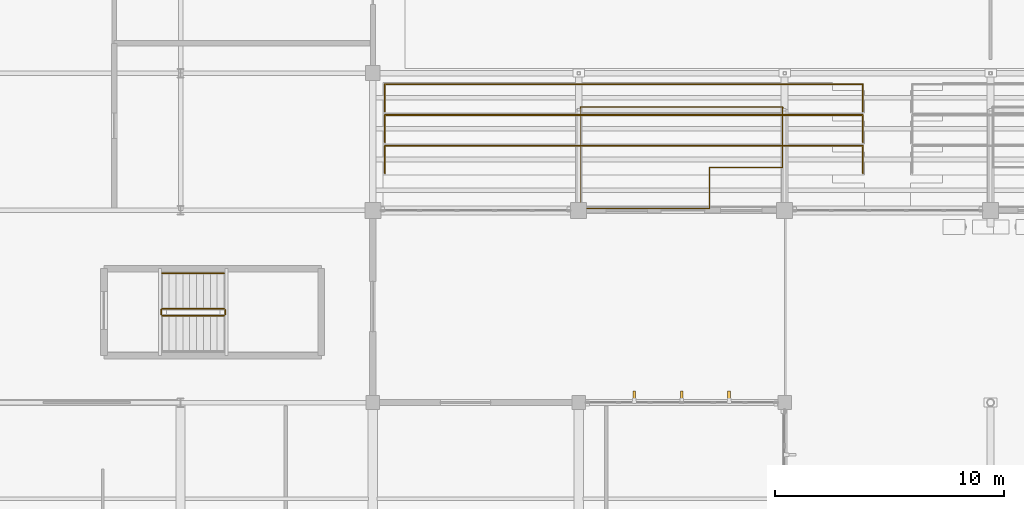
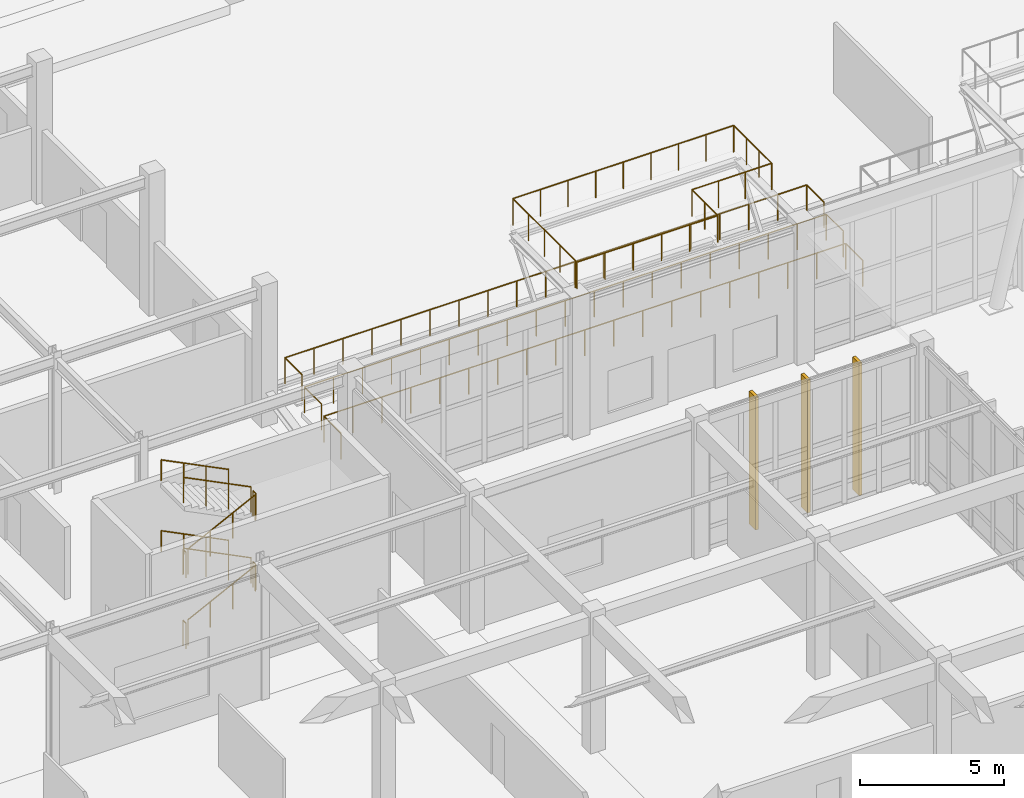
# One storey, part 99 of 110: 14 railings, 3 coverings.
"""IFC4 building model written with IfcOpenShell, lengths in metres."""

from ifc_helpers import new_model, si_unit, direction, frame, origin, origin_2d, place, context, subcontext, project, spatial, rectangle, circle, extrude, material, layer, layer_set, type_object, element, save


model = new_model("IFC4")

# Units and contexts
model_context = context("Model", 3, precision=1e-05, world=origin(), true_north=direction((0.0, 1.0)))
body_context = subcontext(model_context, "Body", "Model", "MODEL_VIEW")
ifc_project = project(units=[si_unit("LENGTHUNIT", "METRE"), si_unit("AREAUNIT", "SQUARE_METRE"), si_unit("VOLUMEUNIT", "CUBIC_METRE"), si_unit("PLANEANGLEUNIT", "RADIAN"), si_unit("MASSUNIT", "GRAM", prefix="KILO")], contexts=[model_context])

# Site, building, storey
site_placement = place(None, origin())
site = spatial("IfcSite", under=ifc_project, at=site_placement, CompositionType="ELEMENT")
building_placement = place(site_placement, origin())
building = spatial("IfcBuilding", under=site, at=building_placement, Name="Tizgana Railside Sports Hall", CompositionType="ELEMENT")
storey_placement = place(building_placement, origin())
storey = spatial("IfcBuildingStorey", under=building, at=storey_placement, Name="L00", CompositionType="ELEMENT", Elevation=0.0)

# Coverings
ifc_material_1 = material(Name="Glulam GL28h", Category="wood")
ifc_layer = layer(ifc_material_1, 0.139892578125, Name="Glulam GL28h")
ifc_layer_set = layer_set([ifc_layer], Name="Glulam GL28h")
covering_type = type_object("IfcCoveringType", Name="Mass-Timber Brise-Soleil & Pergola Fin", PredefinedType="CLADDING", material=ifc_layer_set)
for number, where, z_axis, x_axis, name in (
    (1, (91.2275390625, 32.679931640625, 0.0849609375), (0.0, 0.0, 1.0), (1.0, 0.0, 0.0), "L00 Timber Brise-Soleil Fin"),
    (2, (93.300048828125, 32.679931640625, 0.0849609375), (0.0, 0.0, 1.0), (1.0, 0.0, 0.0), "L00 Timber Brise-Soleil Fin"),
    (3, (95.37255859375, 32.679931640625, 0.0849609375), (0.0, 0.0, 1.0), (1.0, 0.0, 0.0), "L00 Timber Brise-Soleil Fin"),
):
    element("IfcCovering", number, at=place(storey_placement, frame(where, z_axis=z_axis, x_axis=x_axis)), inside=storey, type_object=covering_type, Name=name, PredefinedType="CLADDING", context=body_context, shape_type="SweptSolid", body=[
        extrude(rectangle(XDim=0.1201171875, YDim=0.43994140625, at=origin_2d()), origin(), (0.0, 0.0, 1.0), 5.625),
    ])

# Railings
ifc_material_2 = material(Name="Galvanised steel sheet", Category="steel")
railing_type_1 = type_object("IfcRailingType", Name="Safety Balustrade Guard 1100", PredefinedType="BALUSTRADE", material=ifc_material_2)
railing_1_placement = place(storey_placement, frame((70.60009765625, 36.199951171875, 0.14990234375)))
element("IfcRailing", 4, at=railing_1_placement, inside=storey, type_object=railing_type_1, Name="L00 ST-10 stair guard 1", PredefinedType="BALUSTRADE", context=body_context, shape_type="SweptSolid", body=[
    extrude(circle(Radius=0.02392578125, at=origin_2d()), frame((0.0, 0.0, 1.076171875), z_axis=(0.894411015155, 0.0, 0.447245945728), x_axis=(0.0, 1.0, 0.0)), (0.0, 0.0, 1.0), 3.018798828125),
    extrude(circle(Radius=0.02099609375, at=origin_2d()), origin(), (0.0, 0.0, 1.0), 1.052001953125),
    extrude(circle(Radius=0.02099609375, at=origin_2d()), frame((0.89990234375, 0.0, 0.449951171875)), (0.0, 0.0, 1.0), 1.052001953125),
    extrude(circle(Radius=0.02099609375, at=origin_2d()), frame((1.800048828125, 0.0, 0.900146484375)), (0.0, 0.0, 1.0), 1.052001953125),
    extrude(circle(Radius=0.02099609375, at=origin_2d()), frame((2.699951171875, 0.0, 1.35009765625)), (0.0, 0.0, 1.0), 1.052001953125),
])
railing_2_placement = place(storey_placement, frame((73.35009765625, 36.25, 1.5)))
element("IfcRailing", 5, at=railing_2_placement, inside=storey, type_object=railing_type_1, Name="L00 ST-10 stair guard 2", PredefinedType="BALUSTRADE", context=body_context, shape_type="SweptSolid", body=[
    extrude(circle(Radius=0.02392578125, at=origin_2d()), frame((0.0, 0.0, 1.076171875), z_axis=(0.0, 1.0, 0.0), x_axis=(-1.0, 0.0, 0.0)), (0.0, 0.0, 1.0), 0.199951171875),
    extrude(circle(Radius=0.02099609375, at=origin_2d()), origin(), (0.0, 0.0, 1.0), 1.052001953125),
    extrude(circle(Radius=0.02099609375, at=origin_2d()), frame((0.0, 0.199951171875, 0.0)), (0.0, 0.0, 1.0), 1.052001953125),
])
railing_3_placement = place(storey_placement, frame((73.300048828125, 36.5, 1.64990234375)))
element("IfcRailing", 6, at=railing_3_placement, inside=storey, type_object=railing_type_1, Name="L00 ST-10 stair guard 3", PredefinedType="BALUSTRADE", context=body_context, shape_type="SweptSolid", body=[
    extrude(circle(Radius=0.02392578125, at=origin_2d()), frame((0.0, 0.0, 1.076171875), z_axis=(-0.894411015155, 0.0, 0.447245945728), x_axis=(0.0, -1.0, 0.0)), (0.0, 0.0, 1.0), 3.018798828125),
    extrude(circle(Radius=0.02099609375, at=origin_2d()), origin(), (0.0, 0.0, 1.0), 1.052001953125),
    extrude(circle(Radius=0.02099609375, at=origin_2d()), frame((-0.89990234375, 0.0, 0.449951171875)), (0.0, 0.0, 1.0), 1.052001953125),
    extrude(circle(Radius=0.02099609375, at=origin_2d()), frame((-1.800048828125, 0.0, 0.900146484375)), (0.0, 0.0, 1.0), 1.052001953125),
    extrude(circle(Radius=0.02099609375, at=origin_2d()), frame((-2.699951171875, 0.0, 1.35009765625)), (0.0, 0.0, 1.0), 1.052001953125),
])
railing_4_placement = place(storey_placement, frame((70.550048828125, 36.25, 3.0)))
element("IfcRailing", 7, at=railing_4_placement, inside=storey, type_object=railing_type_1, Name="L00 ST-10 stair guard 4", PredefinedType="BALUSTRADE", context=body_context, shape_type="SweptSolid", body=[
    extrude(circle(Radius=0.02392578125, at=origin_2d()), frame((0.0, 0.0, 1.076171875), z_axis=(0.0, 1.0, 0.0), x_axis=(-1.0, 0.0, 0.0)), (0.0, 0.0, 1.0), 0.199951171875),
    extrude(circle(Radius=0.02099609375, at=origin_2d()), origin(), (0.0, 0.0, 1.0), 1.052001953125),
    extrude(circle(Radius=0.02099609375, at=origin_2d()), frame((0.0, 0.199951171875, 0.0)), (0.0, 0.0, 1.0), 1.052001953125),
])
railing_5_placement = place(storey_placement, frame((70.60009765625, 36.199951171875, 3.14990234375)))
element("IfcRailing", 8, at=railing_5_placement, inside=storey, type_object=railing_type_1, Name="L00 ST-10 stair guard 5", PredefinedType="BALUSTRADE", context=body_context, shape_type="SweptSolid", body=[
    extrude(circle(Radius=0.02392578125, at=origin_2d()), frame((0.0, 0.0, 1.076171875), z_axis=(0.894411015155, 0.0, 0.447245945728), x_axis=(0.0, 1.0, 0.0)), (0.0, 0.0, 1.0), 3.018798828125),
    extrude(circle(Radius=0.02099609375, at=origin_2d()), origin(), (0.0, 0.0, 1.0), 1.052001953125),
    extrude(circle(Radius=0.02099609375, at=origin_2d()), frame((0.89990234375, 0.0, 0.449951171875)), (0.0, 0.0, 1.0), 1.052001953125),
    extrude(circle(Radius=0.02099609375, at=origin_2d()), frame((1.800048828125, 0.0, 0.900146484375)), (0.0, 0.0, 1.0), 1.052001953125),
    extrude(circle(Radius=0.02099609375, at=origin_2d()), frame((2.699951171875, 0.0, 1.35009765625)), (0.0, 0.0, 1.0), 1.052001953125),
])
railing_6_placement = place(storey_placement, frame((73.35009765625, 36.25, 4.5)))
element("IfcRailing", 9, at=railing_6_placement, inside=storey, type_object=railing_type_1, Name="L00 ST-10 stair guard 6", PredefinedType="BALUSTRADE", context=body_context, shape_type="SweptSolid", body=[
    extrude(circle(Radius=0.02392578125, at=origin_2d()), frame((0.0, 0.0, 1.076171875), z_axis=(0.0, 1.0, 0.0), x_axis=(-1.0, 0.0, 0.0)), (0.0, 0.0, 1.0), 0.199951171875),
    extrude(circle(Radius=0.02099609375, at=origin_2d()), origin(), (0.0, 0.0, 1.0), 1.052001953125),
    extrude(circle(Radius=0.02099609375, at=origin_2d()), frame((0.0, 0.199951171875, 0.0)), (0.0, 0.0, 1.0), 1.052001953125),
])
railing_7_placement = place(storey_placement, frame((73.300048828125, 36.5, 4.64990234375)))
element("IfcRailing", 10, at=railing_7_placement, inside=storey, type_object=railing_type_1, Name="L00 ST-10 stair guard 7", PredefinedType="BALUSTRADE", context=body_context, shape_type="SweptSolid", body=[
    extrude(circle(Radius=0.02392578125, at=origin_2d()), frame((0.0, 0.0, 1.076171875), z_axis=(-0.894411015155, 0.0, 0.447245945728), x_axis=(0.0, -1.0, 0.0)), (0.0, 0.0, 1.0), 3.018798828125),
    extrude(circle(Radius=0.02099609375, at=origin_2d()), origin(), (0.0, 0.0, 1.0), 1.052001953125),
    extrude(circle(Radius=0.02099609375, at=origin_2d()), frame((-0.89990234375, 0.0, 0.449951171875)), (0.0, 0.0, 1.0), 1.052001953125),
    extrude(circle(Radius=0.02099609375, at=origin_2d()), frame((-1.800048828125, 0.0, 0.900146484375)), (0.0, 0.0, 1.0), 1.052001953125),
    extrude(circle(Radius=0.02099609375, at=origin_2d()), frame((-2.699951171875, 0.0, 1.35009765625)), (0.0, 0.0, 1.0), 1.052001953125),
])
railing_8_placement = place(storey_placement, frame((70.550048828125, 36.25, 0.0)))
element("IfcRailing", 11, at=railing_8_placement, inside=storey, type_object=railing_type_1, Name="L00 ST-10 stair guard 8", PredefinedType="BALUSTRADE", context=body_context, shape_type="SweptSolid", body=[
    extrude(circle(Radius=0.02392578125, at=origin_2d()), frame((0.0, 0.0, 1.076171875), z_axis=(0.0, 1.0, 0.0), x_axis=(-1.0, 0.0, 0.0)), (0.0, 0.0, 1.0), 0.199951171875),
    extrude(circle(Radius=0.02099609375, at=origin_2d()), origin(), (0.0, 0.0, 1.0), 1.052001953125),
    extrude(circle(Radius=0.02099609375, at=origin_2d()), frame((0.0, 0.199951171875, 0.0)), (0.0, 0.0, 1.0), 1.052001953125),
])
railing_9_placement = place(storey_placement, frame((80.330078125, 42.429931640625, 0.840087890625)))
element("IfcRailing", 12, at=railing_9_placement, inside=storey, type_object=railing_type_1, Name="L00 Stand Guard SGD-0007", PredefinedType="BALUSTRADE", context=body_context, shape_type="SweptSolid", body=[
    extrude(circle(Radius=0.02392578125, at=origin_2d()), frame((0.0, 0.0, 1.09619140625), z_axis=(0.0, 1.0, 0.0), x_axis=(-1.0, 0.0, 0.0)), (0.0, 0.0, 1.0), 1.190185546875),
    extrude(circle(Radius=0.02392578125, at=origin_2d()), frame((0.0, 1.190185546875, 1.09619140625), z_axis=(1.0, 0.0, 0.0), x_axis=(0.0, 1.0, 0.0)), (0.0, 0.0, 1.0), 20.889892578125),
    extrude(circle(Radius=0.02392578125, at=origin_2d()), frame((20.889892578125, 1.190185546875, 1.09619140625), z_axis=(0.0, -1.0, 0.0), x_axis=(1.0, 0.0, 0.0)), (0.0, 0.0, 1.0), 1.190185546875),
    extrude(circle(Radius=0.02099609375, at=origin_2d()), origin(), (0.0, 0.0, 1.0), 1.072021484375),
    extrude(circle(Radius=0.02099609375, at=origin_2d()), frame((0.0, 1.190185546875, 0.0)), (0.0, 0.0, 1.0), 1.072021484375),
    extrude(circle(Radius=0.02099609375, at=origin_2d()), frame((1.16064453125, 1.190185546875, 0.0)), (0.0, 0.0, 1.0), 1.072021484375),
    extrude(circle(Radius=0.02099609375, at=origin_2d()), frame((2.321044921875, 1.190185546875, 0.0)), (0.0, 0.0, 1.0), 1.072021484375),
    extrude(circle(Radius=0.02099609375, at=origin_2d()), frame((3.481689453125, 1.190185546875, 0.0)), (0.0, 0.0, 1.0), 1.072021484375),
    extrude(circle(Radius=0.02099609375, at=origin_2d()), frame((4.64208984375, 1.190185546875, 0.0)), (0.0, 0.0, 1.0), 1.072021484375),
    extrude(circle(Radius=0.02099609375, at=origin_2d()), frame((5.802734375, 1.190185546875, 0.0)), (0.0, 0.0, 1.0), 1.072021484375),
    extrude(circle(Radius=0.02099609375, at=origin_2d()), frame((6.96337890625, 1.190185546875, 0.0)), (0.0, 0.0, 1.0), 1.072021484375),
    extrude(circle(Radius=0.02099609375, at=origin_2d()), frame((8.123779296875, 1.190185546875, 0.0)), (0.0, 0.0, 1.0), 1.072021484375),
    extrude(circle(Radius=0.02099609375, at=origin_2d()), frame((9.284423828125, 1.190185546875, 0.0)), (0.0, 0.0, 1.0), 1.072021484375),
    extrude(circle(Radius=0.02099609375, at=origin_2d()), frame((10.44482421875, 1.190185546875, 0.0)), (0.0, 0.0, 1.0), 1.072021484375),
    extrude(circle(Radius=0.02099609375, at=origin_2d()), frame((11.60546875, 1.190185546875, 0.0)), (0.0, 0.0, 1.0), 1.072021484375),
    extrude(circle(Radius=0.02099609375, at=origin_2d()), frame((12.76611328125, 1.190185546875, 0.0)), (0.0, 0.0, 1.0), 1.072021484375),
    extrude(circle(Radius=0.02099609375, at=origin_2d()), frame((13.926513671875, 1.190185546875, 0.0)), (0.0, 0.0, 1.0), 1.072021484375),
    extrude(circle(Radius=0.02099609375, at=origin_2d()), frame((15.087158203125, 1.190185546875, 0.0)), (0.0, 0.0, 1.0), 1.072021484375),
    extrude(circle(Radius=0.02099609375, at=origin_2d()), frame((16.247802734375, 1.190185546875, 0.0)), (0.0, 0.0, 1.0), 1.072021484375),
    extrude(circle(Radius=0.02099609375, at=origin_2d()), frame((17.408203125, 1.190185546875, 0.0)), (0.0, 0.0, 1.0), 1.072021484375),
    extrude(circle(Radius=0.02099609375, at=origin_2d()), frame((18.56884765625, 1.190185546875, 0.0)), (0.0, 0.0, 1.0), 1.072021484375),
    extrude(circle(Radius=0.02099609375, at=origin_2d()), frame((19.729248046875, 1.190185546875, 0.0)), (0.0, 0.0, 1.0), 1.072021484375),
    extrude(circle(Radius=0.02099609375, at=origin_2d()), frame((20.889892578125, 1.190185546875, 0.0)), (0.0, 0.0, 1.0), 1.072021484375),
    extrude(circle(Radius=0.02099609375, at=origin_2d()), frame((20.889892578125, 0.0, 0.0)), (0.0, 0.0, 1.0), 1.072021484375),
])
railing_10_placement = place(storey_placement, frame((80.330078125, 43.780029296875, 1.260009765625)))
element("IfcRailing", 13, at=railing_10_placement, inside=storey, type_object=railing_type_1, Name="L00 Stand Guard SGD-0009", PredefinedType="BALUSTRADE", context=body_context, shape_type="SweptSolid", body=[
    extrude(circle(Radius=0.02392578125, at=origin_2d()), frame((0.0, 0.0, 1.09619140625), z_axis=(0.0, 1.0, 0.0), x_axis=(-1.0, 0.0, 0.0)), (0.0, 0.0, 1.0), 1.18994140625),
    extrude(circle(Radius=0.02392578125, at=origin_2d()), frame((0.0, 1.18994140625, 1.09619140625), z_axis=(1.0, 0.0, 0.0), x_axis=(0.0, 1.0, 0.0)), (0.0, 0.0, 1.0), 20.889892578125),
    extrude(circle(Radius=0.02392578125, at=origin_2d()), frame((20.889892578125, 1.18994140625, 1.09619140625), z_axis=(0.0, -1.0, 0.0), x_axis=(1.0, 0.0, 0.0)), (0.0, 0.0, 1.0), 1.18994140625),
    extrude(circle(Radius=0.02099609375, at=origin_2d()), origin(), (0.0, 0.0, 1.0), 1.072021484375),
    extrude(circle(Radius=0.02099609375, at=origin_2d()), frame((0.0, 1.18994140625, 0.0)), (0.0, 0.0, 1.0), 1.072021484375),
    extrude(circle(Radius=0.02099609375, at=origin_2d()), frame((1.16064453125, 1.18994140625, 0.0)), (0.0, 0.0, 1.0), 1.072021484375),
    extrude(circle(Radius=0.02099609375, at=origin_2d()), frame((2.321044921875, 1.18994140625, 0.0)), (0.0, 0.0, 1.0), 1.072021484375),
    extrude(circle(Radius=0.02099609375, at=origin_2d()), frame((3.481689453125, 1.18994140625, 0.0)), (0.0, 0.0, 1.0), 1.072021484375),
    extrude(circle(Radius=0.02099609375, at=origin_2d()), frame((4.64208984375, 1.18994140625, 0.0)), (0.0, 0.0, 1.0), 1.072021484375),
    extrude(circle(Radius=0.02099609375, at=origin_2d()), frame((5.802734375, 1.18994140625, 0.0)), (0.0, 0.0, 1.0), 1.072021484375),
    extrude(circle(Radius=0.02099609375, at=origin_2d()), frame((6.96337890625, 1.18994140625, 0.0)), (0.0, 0.0, 1.0), 1.072021484375),
    extrude(circle(Radius=0.02099609375, at=origin_2d()), frame((8.123779296875, 1.18994140625, 0.0)), (0.0, 0.0, 1.0), 1.072021484375),
    extrude(circle(Radius=0.02099609375, at=origin_2d()), frame((9.284423828125, 1.18994140625, 0.0)), (0.0, 0.0, 1.0), 1.072021484375),
    extrude(circle(Radius=0.02099609375, at=origin_2d()), frame((10.44482421875, 1.18994140625, 0.0)), (0.0, 0.0, 1.0), 1.072021484375),
    extrude(circle(Radius=0.02099609375, at=origin_2d()), frame((11.60546875, 1.18994140625, 0.0)), (0.0, 0.0, 1.0), 1.072021484375),
    extrude(circle(Radius=0.02099609375, at=origin_2d()), frame((12.76611328125, 1.18994140625, 0.0)), (0.0, 0.0, 1.0), 1.072021484375),
    extrude(circle(Radius=0.02099609375, at=origin_2d()), frame((13.926513671875, 1.18994140625, 0.0)), (0.0, 0.0, 1.0), 1.072021484375),
    extrude(circle(Radius=0.02099609375, at=origin_2d()), frame((15.087158203125, 1.18994140625, 0.0)), (0.0, 0.0, 1.0), 1.072021484375),
    extrude(circle(Radius=0.02099609375, at=origin_2d()), frame((16.247802734375, 1.18994140625, 0.0)), (0.0, 0.0, 1.0), 1.072021484375),
    extrude(circle(Radius=0.02099609375, at=origin_2d()), frame((17.408203125, 1.18994140625, 0.0)), (0.0, 0.0, 1.0), 1.072021484375),
    extrude(circle(Radius=0.02099609375, at=origin_2d()), frame((18.56884765625, 1.18994140625, 0.0)), (0.0, 0.0, 1.0), 1.072021484375),
    extrude(circle(Radius=0.02099609375, at=origin_2d()), frame((19.729248046875, 1.18994140625, 0.0)), (0.0, 0.0, 1.0), 1.072021484375),
    extrude(circle(Radius=0.02099609375, at=origin_2d()), frame((20.889892578125, 1.18994140625, 0.0)), (0.0, 0.0, 1.0), 1.072021484375),
    extrude(circle(Radius=0.02099609375, at=origin_2d()), frame((20.889892578125, 0.0, 0.0)), (0.0, 0.0, 1.0), 1.072021484375),
])
railing_11_placement = place(storey_placement, frame((80.330078125, 45.1298828125, 1.679931640625)))
element("IfcRailing", 14, at=railing_11_placement, inside=storey, type_object=railing_type_1, Name="L00 Stand Guard SGD-0011", PredefinedType="BALUSTRADE", context=body_context, shape_type="SweptSolid", body=[
    extrude(circle(Radius=0.02392578125, at=origin_2d()), frame((0.0, 0.0, 1.09619140625), z_axis=(0.0, 1.0, 0.0), x_axis=(-1.0, 0.0, 0.0)), (0.0, 0.0, 1.0), 1.190185546875),
    extrude(circle(Radius=0.02392578125, at=origin_2d()), frame((0.0, 1.190185546875, 1.09619140625), z_axis=(1.0, 0.0, 0.0), x_axis=(0.0, 1.0, 0.0)), (0.0, 0.0, 1.0), 20.889892578125),
    extrude(circle(Radius=0.02392578125, at=origin_2d()), frame((20.889892578125, 1.190185546875, 1.09619140625), z_axis=(0.0, -1.0, 0.0), x_axis=(1.0, 0.0, 0.0)), (0.0, 0.0, 1.0), 1.190185546875),
    extrude(circle(Radius=0.02099609375, at=origin_2d()), origin(), (0.0, 0.0, 1.0), 1.072021484375),
    extrude(circle(Radius=0.02099609375, at=origin_2d()), frame((0.0, 1.190185546875, 0.0)), (0.0, 0.0, 1.0), 1.072021484375),
    extrude(circle(Radius=0.02099609375, at=origin_2d()), frame((1.16064453125, 1.190185546875, 0.0)), (0.0, 0.0, 1.0), 1.072021484375),
    extrude(circle(Radius=0.02099609375, at=origin_2d()), frame((2.321044921875, 1.190185546875, 0.0)), (0.0, 0.0, 1.0), 1.072021484375),
    extrude(circle(Radius=0.02099609375, at=origin_2d()), frame((3.481689453125, 1.190185546875, 0.0)), (0.0, 0.0, 1.0), 1.072021484375),
    extrude(circle(Radius=0.02099609375, at=origin_2d()), frame((4.64208984375, 1.190185546875, 0.0)), (0.0, 0.0, 1.0), 1.072021484375),
    extrude(circle(Radius=0.02099609375, at=origin_2d()), frame((5.802734375, 1.190185546875, 0.0)), (0.0, 0.0, 1.0), 1.072021484375),
    extrude(circle(Radius=0.02099609375, at=origin_2d()), frame((6.96337890625, 1.190185546875, 0.0)), (0.0, 0.0, 1.0), 1.072021484375),
    extrude(circle(Radius=0.02099609375, at=origin_2d()), frame((8.123779296875, 1.190185546875, 0.0)), (0.0, 0.0, 1.0), 1.072021484375),
    extrude(circle(Radius=0.02099609375, at=origin_2d()), frame((9.284423828125, 1.190185546875, 0.0)), (0.0, 0.0, 1.0), 1.072021484375),
    extrude(circle(Radius=0.02099609375, at=origin_2d()), frame((10.44482421875, 1.190185546875, 0.0)), (0.0, 0.0, 1.0), 1.072021484375),
    extrude(circle(Radius=0.02099609375, at=origin_2d()), frame((11.60546875, 1.190185546875, 0.0)), (0.0, 0.0, 1.0), 1.072021484375),
    extrude(circle(Radius=0.02099609375, at=origin_2d()), frame((12.76611328125, 1.190185546875, 0.0)), (0.0, 0.0, 1.0), 1.072021484375),
    extrude(circle(Radius=0.02099609375, at=origin_2d()), frame((13.926513671875, 1.190185546875, 0.0)), (0.0, 0.0, 1.0), 1.072021484375),
    extrude(circle(Radius=0.02099609375, at=origin_2d()), frame((15.087158203125, 1.190185546875, 0.0)), (0.0, 0.0, 1.0), 1.072021484375),
    extrude(circle(Radius=0.02099609375, at=origin_2d()), frame((16.247802734375, 1.190185546875, 0.0)), (0.0, 0.0, 1.0), 1.072021484375),
    extrude(circle(Radius=0.02099609375, at=origin_2d()), frame((17.408203125, 1.190185546875, 0.0)), (0.0, 0.0, 1.0), 1.072021484375),
    extrude(circle(Radius=0.02099609375, at=origin_2d()), frame((18.56884765625, 1.190185546875, 0.0)), (0.0, 0.0, 1.0), 1.072021484375),
    extrude(circle(Radius=0.02099609375, at=origin_2d()), frame((19.729248046875, 1.190185546875, 0.0)), (0.0, 0.0, 1.0), 1.072021484375),
    extrude(circle(Radius=0.02099609375, at=origin_2d()), frame((20.889892578125, 1.190185546875, 0.0)), (0.0, 0.0, 1.0), 1.072021484375),
    extrude(circle(Radius=0.02099609375, at=origin_2d()), frame((20.889892578125, 0.0, 0.0)), (0.0, 0.0, 1.0), 1.072021484375),
])
ifc_material_3 = material(Name="Brushed stainless steel", Category="steel")
railing_type_2 = type_object("IfcRailingType", Name="Stair & Ramp Wall Handrail 900", PredefinedType="HANDRAIL", material=ifc_material_3)
for number, where, name in (
    (15, (73.300048828125, 38.050048828125, 1.64990234375), "L00 ST-10 stair handrail 2"),
    (16, (73.300048828125, 38.050048828125, 4.64990234375), "L00 ST-10 stair handrail 4"),
):
    element("IfcRailing", number, at=place(storey_placement, frame(where)), inside=storey, type_object=railing_type_2, Name=name, PredefinedType="HANDRAIL", context=body_context, shape_type="SweptSolid", body=[
        extrude(circle(Radius=0.02392578125, at=origin_2d()), frame((0.0, 0.0, 0.8759765625), z_axis=(-0.894411015155, 0.0, 0.447245945728), x_axis=(0.0, -1.0, 0.0)), (0.0, 0.0, 1.0), 3.018798828125),
        extrude(circle(Radius=0.02099609375, at=origin_2d()), origin(), (0.0, 0.0, 1.0), 0.851806640625),
        extrude(circle(Radius=0.02099609375, at=origin_2d()), frame((-0.89990234375, 0.0, 0.449951171875)), (0.0, 0.0, 1.0), 0.851806640625),
        extrude(circle(Radius=0.02099609375, at=origin_2d()), frame((-1.800048828125, 0.0, 0.900146484375)), (0.0, 0.0, 1.0), 0.851806640625),
        extrude(circle(Radius=0.02099609375, at=origin_2d()), frame((-2.699951171875, 0.0, 1.35009765625)), (0.0, 0.0, 1.0), 0.851806640625),
    ])
ifc_material_4 = material(Name="Anodised aluminium", Category="aluminium")
railing_type_3 = type_object("IfcRailingType", Name="Terrace & Track Guard 1150", PredefinedType="BALUSTRADE", material=ifc_material_4)
railing_12_placement = place(storey_placement, frame((88.8798828125, 40.8798828125, 6.0)))
element("IfcRailing", 17, at=railing_12_placement, inside=storey, type_object=railing_type_3, Name="L00 V2 Court2 Catwalk SW Guard", PredefinedType="BALUSTRADE", context=body_context, shape_type="SweptSolid", body=[
    extrude(circle(Radius=0.02392578125, at=origin_2d()), frame((0.0, 0.0, 1.1259765625), z_axis=(1.0, 0.0, 0.0), x_axis=(0.0, 1.0, 0.0)), (0.0, 0.0, 1.0), 5.64013671875),
    extrude(circle(Radius=0.02392578125, at=origin_2d()), frame((5.64013671875, 0.0, 1.1259765625), z_axis=(0.0, 1.0, 0.0), x_axis=(-1.0, 0.0, 0.0)), (0.0, 0.0, 1.0), 1.800048828125),
    extrude(circle(Radius=0.02392578125, at=origin_2d()), frame((5.64013671875, 1.800048828125, 1.1259765625), z_axis=(1.0, 0.0, 0.0), x_axis=(0.0, 1.0, 0.0)), (0.0, 0.0, 1.0), 3.199951171875),
    extrude(circle(Radius=0.02392578125, at=origin_2d()), frame((8.840087890625, 1.800048828125, 1.1259765625), z_axis=(0.0, 1.0, 0.0), x_axis=(-1.0, 0.0, 0.0)), (0.0, 0.0, 1.0), 2.64013671875),
    extrude(circle(Radius=0.02392578125, at=origin_2d()), frame((8.840087890625, 4.440185546875, 1.1259765625), z_axis=(-1.0, 0.0, 0.0), x_axis=(0.0, -1.0, 0.0)), (0.0, 0.0, 1.0), 8.840087890625),
    extrude(circle(Radius=0.02392578125, at=origin_2d()), frame((0.0, 4.440185546875, 1.1259765625), z_axis=(0.0, -1.0, 0.0), x_axis=(1.0, 0.0, 0.0)), (0.0, 0.0, 1.0), 4.360107421875),
    extrude(circle(Radius=0.02099609375, at=origin_2d()), origin(), (0.0, 0.0, 1.0), 1.101806640625),
    extrude(circle(Radius=0.02099609375, at=origin_2d()), frame((1.1279296875, 0.0, 0.0)), (0.0, 0.0, 1.0), 1.101806640625),
    extrude(circle(Radius=0.02099609375, at=origin_2d()), frame((2.256103515625, 0.0, 0.0)), (0.0, 0.0, 1.0), 1.101806640625),
    extrude(circle(Radius=0.02099609375, at=origin_2d()), frame((3.384033203125, 0.0, 0.0)), (0.0, 0.0, 1.0), 1.101806640625),
    extrude(circle(Radius=0.02099609375, at=origin_2d()), frame((4.51220703125, 0.0, 0.0)), (0.0, 0.0, 1.0), 1.101806640625),
    extrude(circle(Radius=0.02099609375, at=origin_2d()), frame((5.64013671875, 0.0, 0.0)), (0.0, 0.0, 1.0), 1.101806640625),
    extrude(circle(Radius=0.02099609375, at=origin_2d()), frame((5.64013671875, 0.89990234375, 0.0)), (0.0, 0.0, 1.0), 1.101806640625),
    extrude(circle(Radius=0.02099609375, at=origin_2d()), frame((5.64013671875, 1.800048828125, 0.0)), (0.0, 0.0, 1.0), 1.101806640625),
    extrude(circle(Radius=0.02099609375, at=origin_2d()), frame((6.706787109375, 1.800048828125, 0.0)), (0.0, 0.0, 1.0), 1.101806640625),
    extrude(circle(Radius=0.02099609375, at=origin_2d()), frame((7.7734375, 1.800048828125, 0.0)), (0.0, 0.0, 1.0), 1.101806640625),
    extrude(circle(Radius=0.02099609375, at=origin_2d()), frame((8.840087890625, 1.800048828125, 0.0)), (0.0, 0.0, 1.0), 1.101806640625),
    extrude(circle(Radius=0.02099609375, at=origin_2d()), frame((8.840087890625, 2.68017578125, 0.0)), (0.0, 0.0, 1.0), 1.101806640625),
    extrude(circle(Radius=0.02099609375, at=origin_2d()), frame((8.840087890625, 3.56005859375, 0.0)), (0.0, 0.0, 1.0), 1.101806640625),
    extrude(circle(Radius=0.02099609375, at=origin_2d()), frame((8.840087890625, 4.440185546875, 0.0)), (0.0, 0.0, 1.0), 1.101806640625),
    extrude(circle(Radius=0.02099609375, at=origin_2d()), frame((7.735107421875, 4.440185546875, 0.0)), (0.0, 0.0, 1.0), 1.101806640625),
    extrude(circle(Radius=0.02099609375, at=origin_2d()), frame((6.630126953125, 4.440185546875, 0.0)), (0.0, 0.0, 1.0), 1.101806640625),
    extrude(circle(Radius=0.02099609375, at=origin_2d()), frame((5.525146484375, 4.440185546875, 0.0)), (0.0, 0.0, 1.0), 1.101806640625),
    extrude(circle(Radius=0.02099609375, at=origin_2d()), frame((4.419921875, 4.440185546875, 0.0)), (0.0, 0.0, 1.0), 1.101806640625),
    extrude(circle(Radius=0.02099609375, at=origin_2d()), frame((3.31494140625, 4.440185546875, 0.0)), (0.0, 0.0, 1.0), 1.101806640625),
    extrude(circle(Radius=0.02099609375, at=origin_2d()), frame((2.2099609375, 4.440185546875, 0.0)), (0.0, 0.0, 1.0), 1.101806640625),
    extrude(circle(Radius=0.02099609375, at=origin_2d()), frame((1.10498046875, 4.440185546875, 0.0)), (0.0, 0.0, 1.0), 1.101806640625),
    extrude(circle(Radius=0.02099609375, at=origin_2d()), frame((0.0, 4.440185546875, 0.0)), (0.0, 0.0, 1.0), 1.101806640625),
    extrude(circle(Radius=0.02099609375, at=origin_2d()), frame((0.0, 3.35009765625, 0.0)), (0.0, 0.0, 1.0), 1.101806640625),
    extrude(circle(Radius=0.02099609375, at=origin_2d()), frame((0.0, 2.26025390625, 0.0)), (0.0, 0.0, 1.0), 1.101806640625),
    extrude(circle(Radius=0.02099609375, at=origin_2d()), frame((0.0, 1.170166015625, 0.0)), (0.0, 0.0, 1.0), 1.101806640625),
    extrude(circle(Radius=0.02099609375, at=origin_2d()), frame((0.0, 0.080078125, 0.0)), (0.0, 0.0, 1.0), 1.101806640625),
])

save(model, "model.ifc")
